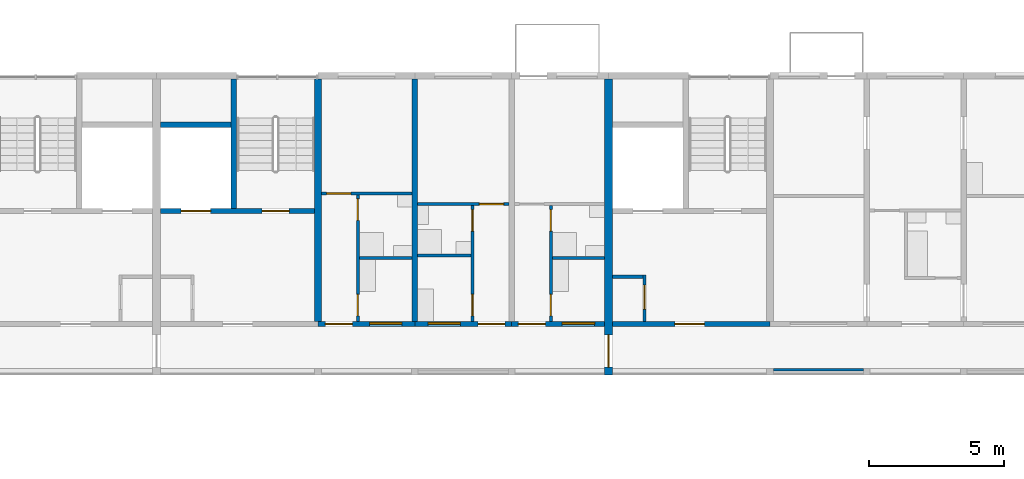
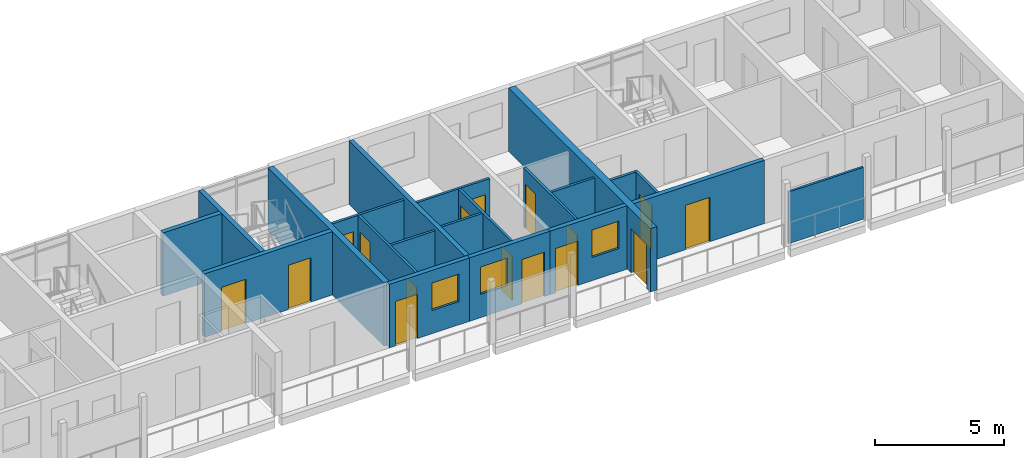
# One storey, part 40 of 99: 21 walls, 16 doors, 3 windows, 19 openings.
"""IFC4 building model written with IfcOpenShell, lengths in metres."""

from ifc_helpers import new_model, si_unit, direction, frame, frame_2d, origin, place, context, subcontext, project, spatial, rectangle, extrude, material, layer, layer_set, type_object, element, fill, save


model = new_model("IFC4")

# Units and contexts
model_context = context("Model", 3, precision=1e-05, world=origin(), true_north=direction((0.0, 1.0)))
body_context = subcontext(model_context, "Body", "Model", "MODEL_VIEW")
ifc_project = project(units=[si_unit("LENGTHUNIT", "METRE"), si_unit("AREAUNIT", "SQUARE_METRE"), si_unit("VOLUMEUNIT", "CUBIC_METRE"), si_unit("PLANEANGLEUNIT", "RADIAN"), si_unit("MASSUNIT", "GRAM", prefix="KILO")], contexts=[model_context])

# Site, building, storey
site_placement = place(None, origin())
site = spatial("IfcSite", under=ifc_project, at=site_placement, CompositionType="ELEMENT")
building_placement = place(site_placement, origin())
building = spatial("IfcBuilding", under=site, at=building_placement, Name="Ridgestep Commons", CompositionType="ELEMENT")
storey_placement = place(building_placement, frame((0.0, 0.0, 15.0)))
storey = spatial("IfcBuildingStorey", under=building, at=storey_placement, Name="L05", CompositionType="ELEMENT", Elevation=15.0)

# Wall
ifc_material_1 = material(Name="Concrete C30/37", Category="concrete")
ifc_layer_1 = layer(ifc_material_1, 0.25)
ifc_layer_set_1 = layer_set([ifc_layer_1], Name="Core cross wall 250")
wall_type_1 = type_object("IfcWallType", Name="Core cross wall 250", PredefinedType="SHEAR", material=ifc_layer_set_1)
wall_1_placement = place(storey_placement, frame((85.199951171875, 68.0, 0.0), z_axis=(0.0, 0.0, 1.0), x_axis=(0.0, 1.0, 0.0)))
element("IfcWall", 1, at=wall_1_placement, inside=storey, type_object=wall_type_1, Name="Cross wall B-05-0852", PredefinedType="SHEAR", context=body_context, shape_type="SweptSolid", body=[
    extrude(rectangle(XDim=9.0, YDim=0.25, at=frame_2d((4.5, 0.0))), origin(), (0.0, 0.0, 1.0), 3.0),
])

# Wall, opening, door
ifc_material_2 = material(Name="Concrete C30/37", Category="concrete")
ifc_layer_2 = layer(ifc_material_2, 0.199951171875)
ifc_layer_set_2 = layer_set([ifc_layer_2], Name="Core south wall 200")
wall_type_2 = type_object("IfcWallType", Name="Core south wall 200", PredefinedType="SHEAR", material=ifc_layer_set_2)
wall_2_placement = place(storey_placement, frame((96.14990234375, 67.89990234375, 0.0), z_axis=(0.0, 0.0, 1.0), x_axis=(1.0, 0.0, 0.0)))
wall_2 = element("IfcWall", 2, at=wall_2_placement, inside=storey, type_object=wall_type_2, Name="Core south wall B6C L05", PredefinedType="SHEAR", context=body_context, shape_type="SweptSolid", body=[
    extrude(rectangle(XDim=5.85009765625, YDim=0.199951171875, at=frame_2d((2.925048828125, 0.0))), origin(), (0.0, 0.0, 1.0), 3.0),
])
opening_1_placement = place(wall_2_placement, frame((2.3125, 0.0, 0.0)))
opening_1 = element("IfcOpeningElement", 3, at=opening_1_placement, cuts=wall_2, Name="Opening B6C/05/1", PredefinedType="OPENING", context=body_context, shape_type="SweptSolid", body=[
    extrude(rectangle(XDim=1.10009765625, YDim=2.10009765625, at=frame_2d((0.550048828125, 1.050048828125))), frame((0.0, 0.10986328125, 0.0), z_axis=(0.0, -1.0, 0.0), x_axis=(1.0, 0.0, 0.0)), (0.0, 0.0, 1.0), 0.219970703125),
])
ifc_material_3 = material(Name="Steel fire door", Category="steel")
door_type_1 = type_object("IfcDoorType", Name="Lobby door 1100 x 2100 FD60", OperationType="NOTDEFINED", PredefinedType="DOOR", material=ifc_material_3)
door_1_placement = place(opening_1_placement, origin())
door_1 = element("IfcDoor", 4, at=door_1_placement, inside=storey, type_object=door_type_1, Name="Lobby door B6C/05/1", OperationType="SINGLE_SWING_LEFT", OverallHeight=2.10009765625, OverallWidth=1.10009765625, PredefinedType="DOOR", context=body_context, shape_type="SweptSolid", body=[
    extrude(rectangle(XDim=1.10009765625, YDim=2.10009765625, at=frame_2d((0.550048828125, 1.050048828125))), frame((0.0, 0.02490234375, 0.0), z_axis=(0.0, -1.0, 0.0), x_axis=(1.0, 0.0, 0.0)), (0.0, 0.0, 1.0), 0.050048828125),
])
fill(opening_1, door_1)

ifc_material_4 = material(Name="Concrete C30/37", Category="concrete")
ifc_layer_3 = layer(ifc_material_4, 0.1201171875)
ifc_layer_set_3 = layer_set([ifc_layer_3], Name="Core wall 120")
wall_type_3 = type_object("IfcWallType", Name="Core wall 120", PredefinedType="SHEAR", material=ifc_layer_set_3)
wall_3_placement = place(storey_placement, frame((97.340087890625, 68.0, 0.0), z_axis=(0.0, 0.0, 1.0), x_axis=(0.0, 1.0, 0.0)))
wall_3 = element("IfcWall", 5, at=wall_3_placement, inside=storey, type_object=wall_type_3, Name="Core riser w wall B6C L05", PredefinedType="SHEAR", context=body_context, shape_type="SweptSolid", body=[
    extrude(rectangle(XDim=1.719970703125, YDim=0.1201171875, at=frame_2d((0.85986328125, 0.0))), origin(), (0.0, 0.0, 1.0), 3.0),
])
opening_2_placement = place(wall_3_placement, frame((0.449951171875, 0.0, 0.0)))
opening_2 = element("IfcOpeningElement", 6, at=opening_2_placement, cuts=wall_3, Name="Opening B6C/05/4", PredefinedType="OPENING", context=body_context, shape_type="SweptSolid", body=[
    extrude(rectangle(XDim=0.89990234375, YDim=2.10009765625, at=frame_2d((0.449951171875, 1.050048828125))), frame((0.0, 0.070068359375, 0.0), z_axis=(0.0, -1.0, 0.0), x_axis=(1.0, 0.0, 0.0)), (0.0, 0.0, 1.0), 0.14013671875),
])
ifc_material_5 = material(Name="Steel fire door", Category="steel")
door_type_2 = type_object("IfcDoorType", Name="Riser door 900 x 2100 FD60", OperationType="NOTDEFINED", PredefinedType="DOOR", material=ifc_material_5)
door_2_placement = place(opening_2_placement, origin())
door_2 = element("IfcDoor", 7, at=door_2_placement, inside=storey, type_object=door_type_2, Name="Riser door B6C/05/4", OperationType="SINGLE_SWING_RIGHT", OverallHeight=2.10009765625, OverallWidth=0.89990234375, PredefinedType="DOOR", context=body_context, shape_type="SweptSolid", body=[
    extrude(rectangle(XDim=0.89990234375, YDim=2.10009765625, at=frame_2d((0.449951171875, 1.050048828125))), frame((0.0, 0.02490234375, 0.0), z_axis=(0.0, -1.0, 0.0), x_axis=(1.0, 0.0, 0.0)), (0.0, 0.0, 1.0), 0.050048828125),
])
fill(opening_2, door_2)

# Wall
wall_4_placement = place(storey_placement, frame((96.14990234375, 69.659912109375, 0.0), z_axis=(0.0, 0.0, 1.0), x_axis=(1.0, 0.0, 0.0)))
element("IfcWall", 8, at=wall_4_placement, inside=storey, type_object=wall_type_3, Name="Core riser n wall B6C L05", PredefinedType="SHEAR", context=body_context, shape_type="SweptSolid", body=[
    extrude(rectangle(XDim=1.130126953125, YDim=0.1201171875, at=frame_2d((0.56494140625, 0.0))), origin(), (0.0, 0.0, 1.0), 3.0),
])

# Wall, openings, doors
ifc_material_6 = material(Name="Concrete C30/37", Category="concrete")
ifc_layer_4 = layer(ifc_material_6, 0.199951171875)
ifc_layer_set_4 = layer_set([ifc_layer_4], Name="Core wall 200")
wall_type_4 = type_object("IfcWallType", Name="Core wall 200", PredefinedType="SHEAR", material=ifc_layer_set_4)
wall_5_placement = place(storey_placement, frame((79.35009765625, 72.10009765625, 0.0), z_axis=(0.0, 0.0, 1.0), x_axis=(1.0, 0.0, 0.0)))
wall_5 = element("IfcWall", 9, at=wall_5_placement, inside=storey, type_object=wall_type_4, Name="Core lobby wall B5C L05", PredefinedType="SHEAR", context=body_context, shape_type="SweptSolid", body=[
    extrude(rectangle(XDim=5.724853515625, YDim=0.199951171875, at=frame_2d((2.8623046875, 0.0))), origin(), (0.0, 0.0, 1.0), 3.0),
])
opening_3_placement = place(wall_5_placement, frame((3.77490234375, 0.0, 0.0)))
opening_3 = element("IfcOpeningElement", 10, at=opening_3_placement, cuts=wall_5, Name="Opening B5C/05/2", PredefinedType="OPENING", context=body_context, shape_type="SweptSolid", body=[
    extrude(rectangle(XDim=1.0, YDim=2.10009765625, at=frame_2d((0.5, 1.050048828125))), frame((0.0, 0.10986328125, 0.0), z_axis=(0.0, -1.0, 0.0), x_axis=(1.0, 0.0, 0.0)), (0.0, 0.0, 1.0), 0.219970703125),
])
opening_4_placement = place(wall_5_placement, frame((0.762451171875, 0.0, 0.0)))
opening_4 = element("IfcOpeningElement", 11, at=opening_4_placement, cuts=wall_5, Name="Opening B5C/05/3", PredefinedType="OPENING", context=body_context, shape_type="SweptSolid", body=[
    extrude(rectangle(XDim=1.10009765625, YDim=2.10009765625, at=frame_2d((0.550048828125, 1.050048828125))), frame((0.0, 0.10986328125, 0.0), z_axis=(0.0, -1.0, 0.0), x_axis=(1.0, 0.0, 0.0)), (0.0, 0.0, 1.0), 0.219970703125),
])
ifc_material_7 = material(Name="Stainless steel", Category="steel")
door_type_3 = type_object("IfcDoorType", Name="Lift landing door 1100 x 2100 FD60", OperationType="DOUBLE_DOOR_SLIDING", PredefinedType="DOOR", material=ifc_material_7)
door_3_placement = place(opening_4_placement, origin())
door_3 = element("IfcDoor", 12, at=door_3_placement, inside=storey, type_object=door_type_3, Name="Landing door LD B5C L05", OperationType="DOUBLE_DOOR_SLIDING", OverallHeight=2.10009765625, OverallWidth=1.10009765625, PredefinedType="DOOR", context=body_context, shape_type="SweptSolid", body=[
    extrude(rectangle(XDim=1.10009765625, YDim=2.10009765625, at=frame_2d((0.550048828125, 1.050048828125))), frame((0.0, 0.02490234375, 0.0), z_axis=(0.0, -1.0, 0.0), x_axis=(1.0, 0.0, 0.0)), (0.0, 0.0, 1.0), 0.050048828125),
])
fill(opening_4, door_3)
ifc_material_8 = material(Name="Steel fire door", Category="steel")
door_type_4 = type_object("IfcDoorType", Name="Stair door 1000 x 2100 FD60", OperationType="NOTDEFINED", PredefinedType="DOOR", material=ifc_material_8)
door_4_placement = place(opening_3_placement, origin())
door_4 = element("IfcDoor", 13, at=door_4_placement, inside=storey, type_object=door_type_4, Name="Stair door B5C/05/2", OperationType="SINGLE_SWING_RIGHT", OverallHeight=2.10009765625, OverallWidth=1.0, PredefinedType="DOOR", context=body_context, shape_type="SweptSolid", body=[
    extrude(rectangle(XDim=1.0, YDim=2.10009765625, at=frame_2d((0.5, 1.050048828125))), frame((0.0, 0.02490234375, 0.0), z_axis=(0.0, -1.0, 0.0), x_axis=(1.0, 0.0, 0.0)), (0.0, 0.0, 1.0), 0.050048828125),
])
fill(opening_3, door_4)

# Walls
wall_6_placement = place(storey_placement, frame((82.074951171875, 72.199951171875, 0.0), z_axis=(0.0, 0.0, 1.0), x_axis=(0.0, 1.0, 0.0)))
element("IfcWall", 14, at=wall_6_placement, inside=storey, type_object=wall_type_4, Name="Core stair wall B5C L05", PredefinedType="SHEAR", context=body_context, shape_type="SweptSolid", body=[
    extrude(rectangle(XDim=4.800048828125, YDim=0.199951171875, at=frame_2d((2.39990234375, 0.0))), origin(), (0.0, 0.0, 1.0), 3.0),
])
wall_7_placement = place(storey_placement, frame((79.35009765625, 75.300048828125, 0.0), z_axis=(0.0, 0.0, 1.0), x_axis=(1.0, 0.0, 0.0)))
element("IfcWall", 15, at=wall_7_placement, inside=storey, type_object=wall_type_4, Name="Core duct wall B5C L05", PredefinedType="SHEAR", context=body_context, shape_type="SweptSolid", body=[
    extrude(rectangle(XDim=2.625, YDim=0.199951171875, at=frame_2d((1.3125, 0.0))), origin(), (0.0, 0.0, 1.0), 3.0),
])
ifc_material_9 = material(Name="Precast concrete C40/50", Category="concrete")
ifc_layer_5 = layer(ifc_material_9, 0.199951171875)
ifc_layer_set_5 = layer_set([ifc_layer_5], Name="Cross wall 200")
wall_type_5 = type_object("IfcWallType", Name="Cross wall 200", PredefinedType="SHEAR", material=ifc_layer_set_5)
wall_8_placement = place(storey_placement, frame((88.800048828125, 68.0, 0.0), z_axis=(0.0, 0.0, 1.0), x_axis=(0.0, 1.0, 0.0)))
element("IfcWall", 16, at=wall_8_placement, inside=storey, type_object=wall_type_5, Name="Cross wall B-05-0888", PredefinedType="SHEAR", context=body_context, shape_type="SweptSolid", body=[
    extrude(rectangle(XDim=9.0, YDim=0.199951171875, at=frame_2d((4.5, 0.0))), origin(), (0.0, 0.0, 1.0), 3.0),
])

# Wall, opening, door
ifc_material_10 = material(Name="Precast concrete C40/50", Category="concrete")
ifc_layer_6 = layer(ifc_material_10, 0.300048828125)
ifc_layer_set_6 = layer_set([ifc_layer_6], Name="Division wall 300")
wall_type_6 = type_object("IfcWallType", Name="Division wall 300", PredefinedType="SHEAR", material=ifc_layer_set_6)
wall_9_placement = place(storey_placement, frame((96.0, 66.0, 0.0), z_axis=(0.0, 0.0, 1.0), x_axis=(0.0, 1.0, 0.0)))
wall_9 = element("IfcWall", 17, at=wall_9_placement, inside=storey, type_object=wall_type_6, Name="Cross wall B-05-0960", PredefinedType="SHEAR", context=body_context, shape_type="SweptSolid", body=[
    extrude(rectangle(XDim=11.0, YDim=0.300048828125, at=frame_2d((5.5, 0.0))), origin(), (0.0, 0.0, 1.0), 3.0),
])
opening_5_placement = place(wall_9_placement, frame((0.300048828125, 0.0, 0.0)))
opening_5 = element("IfcOpeningElement", 18, at=opening_5_placement, cuts=wall_9, Name="Opening B/05/G0960", PredefinedType="OPENING", context=body_context, shape_type="SweptSolid", body=[
    extrude(rectangle(XDim=1.199951171875, YDim=2.10009765625, at=frame_2d((0.60009765625, 1.050048828125))), frame((0.0, 0.159912109375, 0.0), z_axis=(0.0, -1.0, 0.0), x_axis=(1.0, 0.0, 0.0)), (0.0, 0.0, 1.0), 0.320068359375),
])
ifc_material_11 = material(Name="Steel fire door", Category="steel")
door_type_5 = type_object("IfcDoorType", Name="Division fire door 1200 x 2100 EI 240", OperationType="DOUBLE_DOOR_SINGLE_SWING", PredefinedType="DOOR", material=ifc_material_11)
door_5_placement = place(opening_5_placement, origin())
door_5 = element("IfcDoor", 19, at=door_5_placement, inside=storey, type_object=door_type_5, Name="Division fire door B/05/G0960", OperationType="DOUBLE_DOOR_SINGLE_SWING", OverallHeight=2.10009765625, OverallWidth=1.199951171875, PredefinedType="DOOR", context=body_context, shape_type="SweptSolid", body=[
    extrude(rectangle(XDim=1.199951171875, YDim=2.10009765625, at=frame_2d((0.60009765625, 1.050048828125))), frame((0.0, 0.02490234375, 0.0), z_axis=(0.0, -1.0, 0.0), x_axis=(1.0, 0.0, 0.0)), (0.0, 0.0, 1.0), 0.050048828125),
])
fill(opening_5, door_5)

# Wall, openings, doors
ifc_material_12 = material(Name="Common brick 110 mm", Category="masonry")
ifc_layer_7 = layer(ifc_material_12, 0.110107421875)
ifc_layer_set_7 = layer_set([ifc_layer_7], Name="Partition 110")
wall_type_7 = type_object("IfcWallType", Name="Partition 110", PredefinedType="PARTITIONING", material=ifc_layer_set_7)
wall_10_placement = place(storey_placement, frame((93.85498046875, 68.0, 0.0), z_axis=(0.0, 0.0, 1.0), x_axis=(0.0, 1.0, 0.0)))
wall_10 = element("IfcWall", 20, at=wall_10_placement, inside=storey, type_object=wall_type_7, Name="Partition B5-05a", PredefinedType="PARTITIONING", context=body_context, shape_type="SweptSolid", body=[
    extrude(rectangle(XDim=4.300048828125, YDim=0.110107421875, at=frame_2d((2.14990234375, 0.0))), origin(), (0.0, 0.0, 1.0), 2.800048828125),
])
opening_6_placement = place(wall_10_placement, frame((0.199951171875, 0.0, 0.0)))
opening_6 = element("IfcOpeningElement", 21, at=opening_6_placement, cuts=wall_10, Name="Opening B5-05a/2", PredefinedType="OPENING", context=body_context, shape_type="SweptSolid", body=[
    extrude(rectangle(XDim=0.800048828125, YDim=2.10009765625, at=frame_2d((0.39990234375, 1.050048828125))), frame((0.0, 0.06494140625, 0.0), z_axis=(0.0, -1.0, 0.0), x_axis=(1.0, 0.0, 0.0)), (0.0, 0.0, 1.0), 0.130126953125),
])
opening_7_placement = place(wall_10_placement, frame((3.35009765625, 0.0, 0.0)))
opening_7 = element("IfcOpeningElement", 22, at=opening_7_placement, cuts=wall_10, Name="Opening B5-05a/3", PredefinedType="OPENING", context=body_context, shape_type="SweptSolid", body=[
    extrude(rectangle(XDim=0.800048828125, YDim=2.10009765625, at=frame_2d((0.39990234375, 1.050048828125))), frame((0.0, 0.06494140625, 0.0), z_axis=(0.0, -1.0, 0.0), x_axis=(1.0, 0.0, 0.0)), (0.0, 0.0, 1.0), 0.130126953125),
])
ifc_material_13 = material(Name="Timber door leaf", Category="wood")
door_type_6 = type_object("IfcDoorType", Name="Internal door 800 x 2100", OperationType="NOTDEFINED", PredefinedType="DOOR", material=ifc_material_13)
door_6_placement = place(opening_6_placement, origin())
door_6 = element("IfcDoor", 23, at=door_6_placement, inside=storey, type_object=door_type_6, Name="Internal door B5-05a/2", OperationType="SINGLE_SWING_RIGHT", OverallHeight=2.10009765625, OverallWidth=0.800048828125, PredefinedType="DOOR", context=body_context, shape_type="SweptSolid", body=[
    extrude(rectangle(XDim=0.800048828125, YDim=2.10009765625, at=frame_2d((0.39990234375, 1.050048828125))), frame((0.0, 0.02490234375, 0.0), z_axis=(0.0, -1.0, 0.0), x_axis=(1.0, 0.0, 0.0)), (0.0, 0.0, 1.0), 0.050048828125),
])
fill(opening_6, door_6)
door_7_placement = place(opening_7_placement, origin())
door_7 = element("IfcDoor", 24, at=door_7_placement, inside=storey, type_object=door_type_6, Name="Internal door B5-05a/3", OperationType="SINGLE_SWING_LEFT", OverallHeight=2.10009765625, OverallWidth=0.800048828125, PredefinedType="DOOR", context=body_context, shape_type="SweptSolid", body=[
    extrude(rectangle(XDim=0.800048828125, YDim=2.10009765625, at=frame_2d((0.39990234375, 1.050048828125))), frame((0.0, 0.02490234375, 0.0), z_axis=(0.0, -1.0, 0.0), x_axis=(1.0, 0.0, 0.0)), (0.0, 0.0, 1.0), 0.050048828125),
])
fill(opening_7, door_7)

# Walls
wall_11_placement = place(storey_placement, frame((93.909912109375, 70.35498046875, 0.0), z_axis=(0.0, 0.0, 1.0), x_axis=(1.0, 0.0, 0.0)))
element("IfcWall", 25, at=wall_11_placement, inside=storey, type_object=wall_type_7, Name="Partition B5-05a", PredefinedType="PARTITIONING", context=body_context, shape_type="SweptSolid", body=[
    extrude(rectangle(XDim=1.940185546875, YDim=0.110107421875, at=frame_2d((0.97021484375, 0.0))), origin(), (0.0, 0.0, 1.0), 2.800048828125),
])
wall_12_placement = place(storey_placement, frame((88.89990234375, 70.455078125, 0.0), z_axis=(0.0, 0.0, 1.0), x_axis=(1.0, 0.0, 0.0)))
element("IfcWall", 26, at=wall_12_placement, inside=storey, type_object=wall_type_7, Name="Partition B5-05b", PredefinedType="PARTITIONING", context=body_context, shape_type="SweptSolid", body=[
    extrude(rectangle(XDim=1.989990234375, YDim=0.110107421875, at=frame_2d((0.9951171875, 0.0))), origin(), (0.0, 0.0, 1.0), 2.800048828125),
])

# Wall, openings, doors
wall_13_placement = place(storey_placement, frame((90.945068359375, 68.0, 0.0), z_axis=(0.0, 0.0, 1.0), x_axis=(0.0, 1.0, 0.0)))
wall_13 = element("IfcWall", 27, at=wall_13_placement, inside=storey, type_object=wall_type_7, Name="Partition B5-05b", PredefinedType="PARTITIONING", context=body_context, shape_type="SweptSolid", body=[
    extrude(rectangle(XDim=4.300048828125, YDim=0.110107421875, at=frame_2d((2.14990234375, 0.0))), origin(), (0.0, 0.0, 1.0), 2.800048828125),
])
opening_8_placement = place(wall_13_placement, frame((0.199951171875, 0.0, 0.0)))
opening_8 = element("IfcOpeningElement", 28, at=opening_8_placement, cuts=wall_13, Name="Opening B5-05b/2", PredefinedType="OPENING", context=body_context, shape_type="SweptSolid", body=[
    extrude(rectangle(XDim=0.800048828125, YDim=2.10009765625, at=frame_2d((0.39990234375, 1.050048828125))), frame((0.0, 0.06494140625, 0.0), z_axis=(0.0, -1.0, 0.0), x_axis=(1.0, 0.0, 0.0)), (0.0, 0.0, 1.0), 0.130126953125),
])
opening_9_placement = place(wall_13_placement, frame((3.35009765625, 0.0, 0.0)))
opening_9 = element("IfcOpeningElement", 29, at=opening_9_placement, cuts=wall_13, Name="Opening B5-05b/3", PredefinedType="OPENING", context=body_context, shape_type="SweptSolid", body=[
    extrude(rectangle(XDim=0.800048828125, YDim=2.10009765625, at=frame_2d((0.39990234375, 1.050048828125))), frame((0.0, 0.06494140625, 0.0), z_axis=(0.0, -1.0, 0.0), x_axis=(1.0, 0.0, 0.0)), (0.0, 0.0, 1.0), 0.130126953125),
])
door_8_placement = place(opening_8_placement, origin())
door_8 = element("IfcDoor", 30, at=door_8_placement, inside=storey, type_object=door_type_6, Name="Internal door B5-05b/2", OperationType="SINGLE_SWING_LEFT", OverallHeight=2.10009765625, OverallWidth=0.800048828125, PredefinedType="DOOR", context=body_context, shape_type="SweptSolid", body=[
    extrude(rectangle(XDim=0.800048828125, YDim=2.10009765625, at=frame_2d((0.39990234375, 1.050048828125))), frame((0.0, 0.02490234375, 0.0), z_axis=(0.0, -1.0, 0.0), x_axis=(1.0, 0.0, 0.0)), (0.0, 0.0, 1.0), 0.050048828125),
])
fill(opening_8, door_8)
door_9_placement = place(opening_9_placement, origin())
door_9 = element("IfcDoor", 31, at=door_9_placement, inside=storey, type_object=door_type_6, Name="Internal door B5-05b/3", OperationType="SINGLE_SWING_RIGHT", OverallHeight=2.10009765625, OverallWidth=0.800048828125, PredefinedType="DOOR", context=body_context, shape_type="SweptSolid", body=[
    extrude(rectangle(XDim=0.800048828125, YDim=2.10009765625, at=frame_2d((0.39990234375, 1.050048828125))), frame((0.0, 0.02490234375, 0.0), z_axis=(0.0, -1.0, 0.0), x_axis=(1.0, 0.0, 0.0)), (0.0, 0.0, 1.0), 0.050048828125),
])
fill(opening_9, door_9)

# Wall, opening, door
wall_14_placement = place(storey_placement, frame((88.89990234375, 72.35498046875, 0.0), z_axis=(0.0, 0.0, 1.0), x_axis=(1.0, 0.0, 0.0)))
wall_14 = element("IfcWall", 32, at=wall_14_placement, inside=storey, type_object=wall_type_7, Name="Partition B5-05b", PredefinedType="PARTITIONING", context=body_context, shape_type="SweptSolid", body=[
    extrude(rectangle(XDim=3.400146484375, YDim=0.110107421875, at=frame_2d((1.7001953125, 0.0))), origin(), (0.0, 0.0, 1.0), 2.800048828125),
])
opening_10_placement = place(wall_14_placement, frame((2.300048828125, 0.0, 0.0)))
opening_10 = element("IfcOpeningElement", 33, at=opening_10_placement, cuts=wall_14, Name="Opening B5-05b/4", PredefinedType="OPENING", context=body_context, shape_type="SweptSolid", body=[
    extrude(rectangle(XDim=0.89990234375, YDim=2.10009765625, at=frame_2d((0.449951171875, 1.050048828125))), frame((0.0, 0.06494140625, 0.0), z_axis=(0.0, -1.0, 0.0), x_axis=(1.0, 0.0, 0.0)), (0.0, 0.0, 1.0), 0.130126953125),
])
ifc_material_14 = material(Name="Timber door leaf", Category="wood")
door_type_7 = type_object("IfcDoorType", Name="Internal door 900 x 2100", OperationType="NOTDEFINED", PredefinedType="DOOR", material=ifc_material_14)
door_10_placement = place(opening_10_placement, origin())
door_10 = element("IfcDoor", 34, at=door_10_placement, inside=storey, type_object=door_type_7, Name="Internal door B5-05b/4", OperationType="SINGLE_SWING_LEFT", OverallHeight=2.10009765625, OverallWidth=0.89990234375, PredefinedType="DOOR", context=body_context, shape_type="SweptSolid", body=[
    extrude(rectangle(XDim=0.89990234375, YDim=2.10009765625, at=frame_2d((0.449951171875, 1.050048828125))), frame((0.0, 0.02490234375, 0.0), z_axis=(0.0, -1.0, 0.0), x_axis=(1.0, 0.0, 0.0)), (0.0, 0.0, 1.0), 0.050048828125),
])
fill(opening_10, door_10)

# Wall, openings, doors
wall_15_placement = place(storey_placement, frame((86.679931640625, 68.0, 0.0), z_axis=(0.0, 0.0, 1.0), x_axis=(0.0, 1.0, 0.0)))
wall_15 = element("IfcWall", 35, at=wall_15_placement, inside=storey, type_object=wall_type_7, Name="Partition B5-05c", PredefinedType="PARTITIONING", context=body_context, shape_type="SweptSolid", body=[
    extrude(rectangle(XDim=4.699951171875, YDim=0.110107421875, at=frame_2d((2.35009765625, 0.0))), origin(), (0.0, 0.0, 1.0), 2.800048828125),
])
opening_11_placement = place(wall_15_placement, frame((0.199951171875, 0.0, 0.0)))
opening_11 = element("IfcOpeningElement", 36, at=opening_11_placement, cuts=wall_15, Name="Opening B5-05c/2", PredefinedType="OPENING", context=body_context, shape_type="SweptSolid", body=[
    extrude(rectangle(XDim=0.800048828125, YDim=2.10009765625, at=frame_2d((0.39990234375, 1.050048828125))), frame((0.0, 0.06494140625, 0.0), z_axis=(0.0, -1.0, 0.0), x_axis=(1.0, 0.0, 0.0)), (0.0, 0.0, 1.0), 0.130126953125),
])
opening_12_placement = place(wall_15_placement, frame((3.75, 0.0, 0.0)))
opening_12 = element("IfcOpeningElement", 37, at=opening_12_placement, cuts=wall_15, Name="Opening B5-05c/3", PredefinedType="OPENING", context=body_context, shape_type="SweptSolid", body=[
    extrude(rectangle(XDim=0.800048828125, YDim=2.10009765625, at=frame_2d((0.39990234375, 1.050048828125))), frame((0.0, 0.06494140625, 0.0), z_axis=(0.0, -1.0, 0.0), x_axis=(1.0, 0.0, 0.0)), (0.0, 0.0, 1.0), 0.130126953125),
])
door_11_placement = place(opening_11_placement, origin())
door_11 = element("IfcDoor", 38, at=door_11_placement, inside=storey, type_object=door_type_6, Name="Internal door B5-05c/2", OperationType="SINGLE_SWING_RIGHT", OverallHeight=2.10009765625, OverallWidth=0.800048828125, PredefinedType="DOOR", context=body_context, shape_type="SweptSolid", body=[
    extrude(rectangle(XDim=0.800048828125, YDim=2.10009765625, at=frame_2d((0.39990234375, 1.050048828125))), frame((0.0, 0.02490234375, 0.0), z_axis=(0.0, -1.0, 0.0), x_axis=(1.0, 0.0, 0.0)), (0.0, 0.0, 1.0), 0.050048828125),
])
fill(opening_11, door_11)
door_12_placement = place(opening_12_placement, origin())
door_12 = element("IfcDoor", 39, at=door_12_placement, inside=storey, type_object=door_type_6, Name="Internal door B5-05c/3", OperationType="SINGLE_SWING_LEFT", OverallHeight=2.10009765625, OverallWidth=0.800048828125, PredefinedType="DOOR", context=body_context, shape_type="SweptSolid", body=[
    extrude(rectangle(XDim=0.800048828125, YDim=2.10009765625, at=frame_2d((0.39990234375, 1.050048828125))), frame((0.0, 0.02490234375, 0.0), z_axis=(0.0, -1.0, 0.0), x_axis=(1.0, 0.0, 0.0)), (0.0, 0.0, 1.0), 0.050048828125),
])
fill(opening_12, door_12)

# Wall
wall_16_placement = place(storey_placement, frame((86.735107421875, 70.35498046875, 0.0), z_axis=(0.0, 0.0, 1.0), x_axis=(1.0, 0.0, 0.0)))
element("IfcWall", 40, at=wall_16_placement, inside=storey, type_object=wall_type_7, Name="Partition B5-05c", PredefinedType="PARTITIONING", context=body_context, shape_type="SweptSolid", body=[
    extrude(rectangle(XDim=1.96484375, YDim=0.110107421875, at=frame_2d((0.982421875, 0.0))), origin(), (0.0, 0.0, 1.0), 2.800048828125),
])

# Wall, opening, door
wall_17_placement = place(storey_placement, frame((85.324951171875, 72.7548828125, 0.0), z_axis=(0.0, 0.0, 1.0), x_axis=(1.0, 0.0, 0.0)))
wall_17 = element("IfcWall", 41, at=wall_17_placement, inside=storey, type_object=wall_type_7, Name="Partition B5-05c", PredefinedType="PARTITIONING", context=body_context, shape_type="SweptSolid", body=[
    extrude(rectangle(XDim=3.375, YDim=0.110107421875, at=frame_2d((1.6875, 0.0))), origin(), (0.0, 0.0, 1.0), 2.800048828125),
])
opening_13_placement = place(wall_17_placement, frame((0.199951171875, 0.0, 0.0)))
opening_13 = element("IfcOpeningElement", 42, at=opening_13_placement, cuts=wall_17, Name="Opening B5-05c/4", PredefinedType="OPENING", context=body_context, shape_type="SweptSolid", body=[
    extrude(rectangle(XDim=0.89990234375, YDim=2.10009765625, at=frame_2d((0.449951171875, 1.050048828125))), frame((0.0, 0.06494140625, 0.0), z_axis=(0.0, -1.0, 0.0), x_axis=(1.0, 0.0, 0.0)), (0.0, 0.0, 1.0), 0.130126953125),
])
door_13_placement = place(opening_13_placement, origin())
door_13 = element("IfcDoor", 43, at=door_13_placement, inside=storey, type_object=door_type_7, Name="Internal door B5-05c/4", OperationType="SINGLE_SWING_LEFT", OverallHeight=2.10009765625, OverallWidth=0.89990234375, PredefinedType="DOOR", context=body_context, shape_type="SweptSolid", body=[
    extrude(rectangle(XDim=0.89990234375, YDim=2.10009765625, at=frame_2d((0.449951171875, 1.050048828125))), frame((0.0, 0.02490234375, 0.0), z_axis=(0.0, -1.0, 0.0), x_axis=(1.0, 0.0, 0.0)), (0.0, 0.0, 1.0), 0.050048828125),
])
fill(opening_13, door_13)

# Wall
ifc_material_15 = material(Name="Precast concrete C30/37", Category="concrete")
ifc_layer_8 = layer(ifc_material_15, 0.10009765625)
ifc_layer_set_8 = layer_set([ifc_layer_8], Name="Perforated gallery screen 3350 x 2450 x 100")
wall_type_8 = type_object("IfcWallType", Name="Perforated gallery screen 3350 x 2450 x 100", PredefinedType="SOLIDWALL", material=ifc_layer_set_8)
wall_18_placement = place(storey_placement, frame((102.125, 66.199951171875, 0.0), z_axis=(0.0, 0.0, 1.0), x_axis=(1.0, 0.0, 0.0)))
element("IfcWall", 44, at=wall_18_placement, inside=storey, type_object=wall_type_8, Name="Gallery screen B6T3 05", PredefinedType="SOLIDWALL", context=body_context, shape_type="SweptSolid", body=[
    extrude(rectangle(XDim=3.35009765625, YDim=0.10009765625, at=frame_2d((1.675048828125, 0.0))), origin(), (0.0, 0.0, 1.0), 2.449951171875),
])

# Wall, openings, door, window
ifc_material_16 = material(Name="Precast concrete C40/50", Category="concrete")
ifc_layer_9 = layer(ifc_material_16, 0.199951171875)
ifc_layer_set_9 = layer_set([ifc_layer_9], Name="South facade panel 200")
wall_type_9 = type_object("IfcWallType", Name="South facade panel 200", PredefinedType="SOLIDWALL", material=ifc_layer_set_9)
wall_19_placement = place(storey_placement, frame((85.199951171875, 67.89990234375, 0.0), z_axis=(0.0, 0.0, 1.0), x_axis=(1.0, 0.0, 0.0)))
wall_19 = element("IfcWall", 45, at=wall_19_placement, inside=storey, type_object=wall_type_9, Name="South panel B5T3 L05", PredefinedType="SOLIDWALL", context=body_context, shape_type="SweptSolid", body=[
    extrude(rectangle(XDim=3.60009765625, YDim=0.199951171875, at=frame_2d((1.800048828125, 0.0))), origin(), (0.0, 0.0, 1.0), 3.0),
])
opening_14_placement = place(wall_19_placement, frame((1.91748046875, 0.0, 1.10009765625)))
opening_14 = element("IfcOpeningElement", 46, at=opening_14_placement, cuts=wall_19, Name="Opening W08", PredefinedType="OPENING", context=body_context, shape_type="SweptSolid", body=[
    extrude(rectangle(XDim=1.199951171875, YDim=1.300048828125, at=frame_2d((0.60009765625, 0.64990234375))), frame((0.0, 0.10986328125, 0.0), z_axis=(0.0, -1.0, 0.0), x_axis=(1.0, 0.0, 0.0)), (0.0, 0.0, 1.0), 0.219970703125),
])
opening_15_placement = place(wall_19_placement, frame((0.27490234375, 0.0, 0.0)))
opening_15 = element("IfcOpeningElement", 47, at=opening_15_placement, cuts=wall_19, Name="Opening B5-05c/1", PredefinedType="OPENING", context=body_context, shape_type="SweptSolid", body=[
    extrude(rectangle(XDim=1.0, YDim=2.10009765625, at=frame_2d((0.5, 1.050048828125))), frame((0.0, 0.10986328125, 0.0), z_axis=(0.0, -1.0, 0.0), x_axis=(1.0, 0.0, 0.0)), (0.0, 0.0, 1.0), 0.219970703125),
])
ifc_material_17 = material(Name="Timber door leaf", Category="wood")
door_type_8 = type_object("IfcDoorType", Name="Flat entrance door 1000 x 2100 FD30S", OperationType="NOTDEFINED", PredefinedType="DOOR", material=ifc_material_17)
door_14_placement = place(opening_15_placement, origin())
door_14 = element("IfcDoor", 48, at=door_14_placement, inside=storey, type_object=door_type_8, Name="Flat entrance door B5-05c/1", OperationType="SINGLE_SWING_LEFT", OverallHeight=2.10009765625, OverallWidth=1.0, PredefinedType="DOOR", context=body_context, shape_type="SweptSolid", body=[
    extrude(rectangle(XDim=1.0, YDim=2.10009765625, at=frame_2d((0.5, 1.050048828125))), frame((0.0, 0.02490234375, 0.0), z_axis=(0.0, -1.0, 0.0), x_axis=(1.0, 0.0, 0.0)), (0.0, 0.0, 1.0), 0.050048828125),
])
fill(opening_15, door_14)
ifc_material_18 = material(Name="Aluminium 6063-T6 and glass", Category="aluminium")
window_type = type_object("IfcWindowType", Name="Flat window 1200 x 1300", PartitioningType="SINGLE_PANEL", PredefinedType="WINDOW", material=ifc_material_18)
window_1_placement = place(opening_14_placement, origin())
window_1 = element("IfcWindow", 49, at=window_1_placement, inside=storey, type_object=window_type, Name="Window B5-05c 1", OverallHeight=1.300048828125, OverallWidth=1.199951171875, PartitioningType="SINGLE_PANEL", PredefinedType="WINDOW", context=body_context, shape_type="SweptSolid", body=[
    extrude(rectangle(XDim=1.199951171875, YDim=1.300048828125, at=frame_2d((0.60009765625, 0.64990234375))), frame((0.0, 0.06005859375, 0.0), z_axis=(0.0, -1.0, 0.0), x_axis=(1.0, 0.0, 0.0)), (0.0, 0.0, 1.0), 0.06005859375),
])
fill(opening_14, window_1)

wall_20_placement = place(storey_placement, frame((88.800048828125, 67.89990234375, 0.0), z_axis=(0.0, 0.0, 1.0), x_axis=(1.0, 0.0, 0.0)))
wall_20 = element("IfcWall", 50, at=wall_20_placement, inside=storey, type_object=wall_type_9, Name="South panel B5T2 L05", PredefinedType="SOLIDWALL", context=body_context, shape_type="SweptSolid", body=[
    extrude(rectangle(XDim=3.599853515625, YDim=0.199951171875, at=frame_2d((1.7998046875, 0.0))), origin(), (0.0, 0.0, 1.0), 3.0),
])
opening_16_placement = place(wall_20_placement, frame((0.4951171875, 0.0, 1.10009765625)))
opening_16 = element("IfcOpeningElement", 51, at=opening_16_placement, cuts=wall_20, Name="Opening W08", PredefinedType="OPENING", context=body_context, shape_type="SweptSolid", body=[
    extrude(rectangle(XDim=1.199951171875, YDim=1.300048828125, at=frame_2d((0.60009765625, 0.64990234375))), frame((0.0, 0.10986328125, 0.0), z_axis=(0.0, -1.0, 0.0), x_axis=(1.0, 0.0, 0.0)), (0.0, 0.0, 1.0), 0.219970703125),
])
opening_17_placement = place(wall_20_placement, frame((2.35009765625, 0.0, 0.0)))
opening_17 = element("IfcOpeningElement", 52, at=opening_17_placement, cuts=wall_20, Name="Opening B5-05b/1", PredefinedType="OPENING", context=body_context, shape_type="SweptSolid", body=[
    extrude(rectangle(XDim=1.0, YDim=2.10009765625, at=frame_2d((0.5, 1.050048828125))), frame((0.0, 0.10986328125, 0.0), z_axis=(0.0, -1.0, 0.0), x_axis=(1.0, 0.0, 0.0)), (0.0, 0.0, 1.0), 0.219970703125),
])
door_15_placement = place(opening_17_placement, origin())
door_15 = element("IfcDoor", 53, at=door_15_placement, inside=storey, type_object=door_type_8, Name="Flat entrance door B5-05b/1", OperationType="SINGLE_SWING_RIGHT", OverallHeight=2.10009765625, OverallWidth=1.0, PredefinedType="DOOR", context=body_context, shape_type="SweptSolid", body=[
    extrude(rectangle(XDim=1.0, YDim=2.10009765625, at=frame_2d((0.5, 1.050048828125))), frame((0.0, 0.02490234375, 0.0), z_axis=(0.0, -1.0, 0.0), x_axis=(1.0, 0.0, 0.0)), (0.0, 0.0, 1.0), 0.050048828125),
])
fill(opening_17, door_15)
window_2_placement = place(opening_16_placement, origin())
window_2 = element("IfcWindow", 54, at=window_2_placement, inside=storey, type_object=window_type, Name="Window B5-05b 1", OverallHeight=1.300048828125, OverallWidth=1.199951171875, PartitioningType="SINGLE_PANEL", PredefinedType="WINDOW", context=body_context, shape_type="SweptSolid", body=[
    extrude(rectangle(XDim=1.199951171875, YDim=1.300048828125, at=frame_2d((0.60009765625, 0.64990234375))), frame((0.0, 0.06005859375, 0.0), z_axis=(0.0, -1.0, 0.0), x_axis=(1.0, 0.0, 0.0)), (0.0, 0.0, 1.0), 0.06005859375),
])
fill(opening_16, window_2)

wall_21_placement = place(storey_placement, frame((92.39990234375, 67.89990234375, 0.0), z_axis=(0.0, 0.0, 1.0), x_axis=(1.0, 0.0, 0.0)))
wall_21 = element("IfcWall", 55, at=wall_21_placement, inside=storey, type_object=wall_type_9, Name="South panel B5T1 L05", PredefinedType="SOLIDWALL", context=body_context, shape_type="SweptSolid", body=[
    extrude(rectangle(XDim=3.4501953125, YDim=0.199951171875, at=frame_2d((1.72509765625, 0.0))), origin(), (0.0, 0.0, 1.0), 3.0),
])
opening_18_placement = place(wall_21_placement, frame((1.8798828125, 0.0, 1.10009765625)))
opening_18 = element("IfcOpeningElement", 56, at=opening_18_placement, cuts=wall_21, Name="Opening W08", PredefinedType="OPENING", context=body_context, shape_type="SweptSolid", body=[
    extrude(rectangle(XDim=1.199951171875, YDim=1.300048828125, at=frame_2d((0.60009765625, 0.64990234375))), frame((0.0, 0.10986328125, 0.0), z_axis=(0.0, -1.0, 0.0), x_axis=(1.0, 0.0, 0.0)), (0.0, 0.0, 1.0), 0.219970703125),
])
opening_19_placement = place(wall_21_placement, frame((0.25, 0.0, 0.0)))
opening_19 = element("IfcOpeningElement", 57, at=opening_19_placement, cuts=wall_21, Name="Opening B5-05a/1", PredefinedType="OPENING", context=body_context, shape_type="SweptSolid", body=[
    extrude(rectangle(XDim=1.0, YDim=2.10009765625, at=frame_2d((0.5, 1.050048828125))), frame((0.0, 0.10986328125, 0.0), z_axis=(0.0, -1.0, 0.0), x_axis=(1.0, 0.0, 0.0)), (0.0, 0.0, 1.0), 0.219970703125),
])
door_16_placement = place(opening_19_placement, origin())
door_16 = element("IfcDoor", 58, at=door_16_placement, inside=storey, type_object=door_type_8, Name="Flat entrance door B5-05a/1", OperationType="SINGLE_SWING_LEFT", OverallHeight=2.10009765625, OverallWidth=1.0, PredefinedType="DOOR", context=body_context, shape_type="SweptSolid", body=[
    extrude(rectangle(XDim=1.0, YDim=2.10009765625, at=frame_2d((0.5, 1.050048828125))), frame((0.0, 0.02490234375, 0.0), z_axis=(0.0, -1.0, 0.0), x_axis=(1.0, 0.0, 0.0)), (0.0, 0.0, 1.0), 0.050048828125),
])
fill(opening_19, door_16)
window_3_placement = place(opening_18_placement, origin())
window_3 = element("IfcWindow", 59, at=window_3_placement, inside=storey, type_object=window_type, Name="Window B5-05a 1", OverallHeight=1.300048828125, OverallWidth=1.199951171875, PartitioningType="SINGLE_PANEL", PredefinedType="WINDOW", context=body_context, shape_type="SweptSolid", body=[
    extrude(rectangle(XDim=1.199951171875, YDim=1.300048828125, at=frame_2d((0.60009765625, 0.64990234375))), frame((0.0, 0.06005859375, 0.0), z_axis=(0.0, -1.0, 0.0), x_axis=(1.0, 0.0, 0.0)), (0.0, 0.0, 1.0), 0.06005859375),
])
fill(opening_18, window_3)

save(model, "model.ifc")
